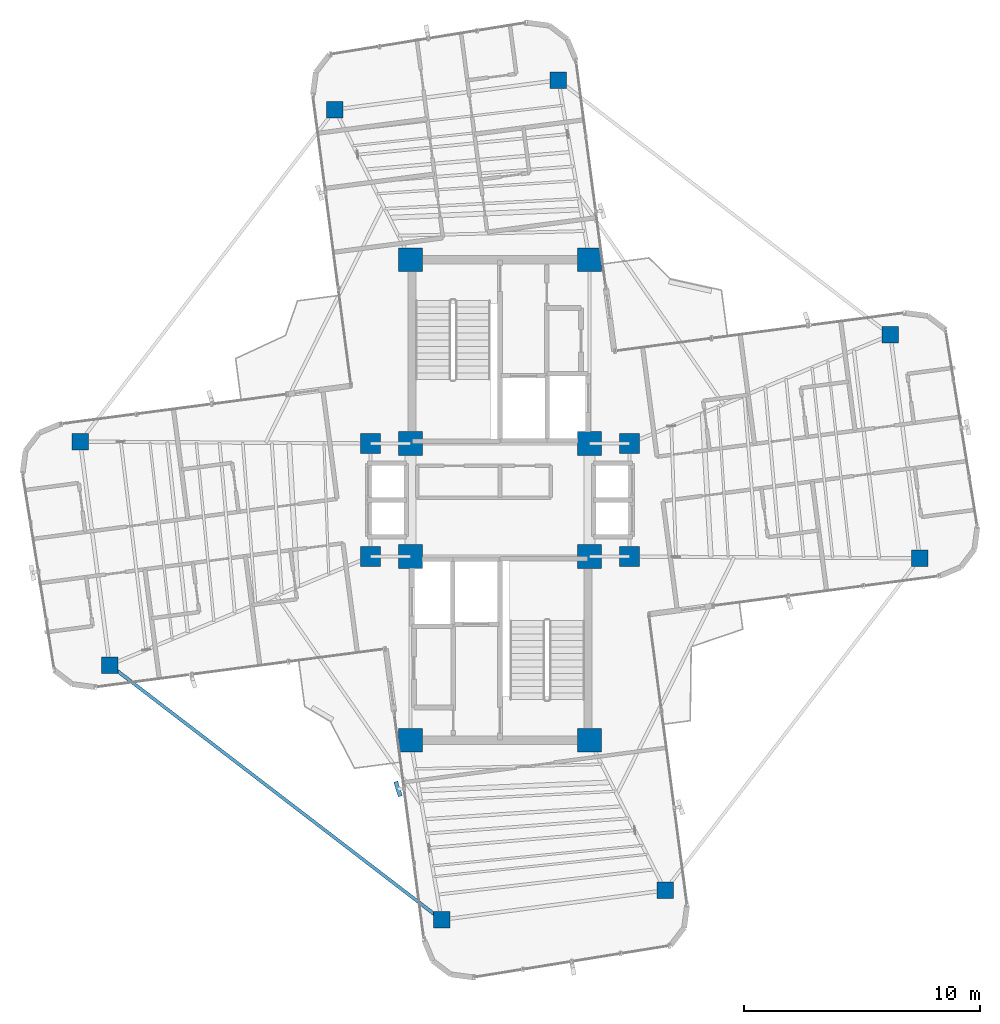
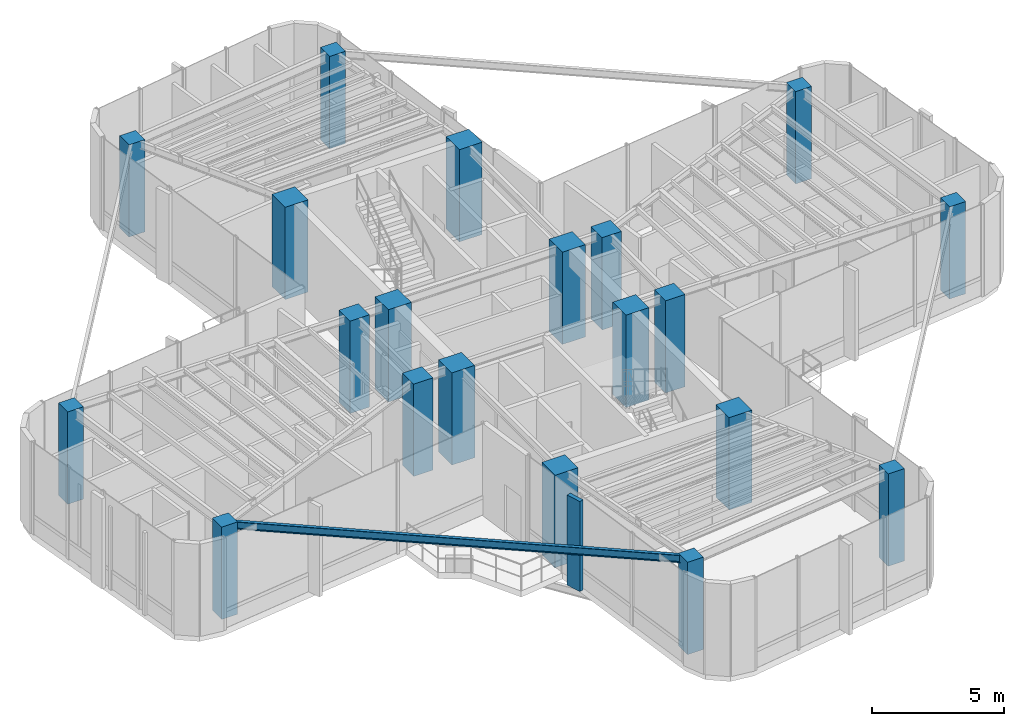
# One storey, part 1 of 20: 20 columns, 1 beam, 1 member, 1 element without a shape of its own.
"""IFC4 building model written with IfcOpenShell, lengths in metres."""

from ifc_helpers import new_model, si_unit, direction, frame, origin, origin_2d, place, context, subcontext, project, spatial, rectangle, i_section, extrude, source, transform, mapped, material, material_profile, profile_set, type_object, element, aggregate, save


model = new_model("IFC4")

# Units and contexts
model_context = context("Model", 3, precision=1e-05, world=origin(), true_north=direction((0.0, 1.0)))
body_context = subcontext(model_context, "Body", "Model", "MODEL_VIEW")
ifc_project = project(units=[si_unit("LENGTHUNIT", "METRE"), si_unit("AREAUNIT", "SQUARE_METRE"), si_unit("VOLUMEUNIT", "CUBIC_METRE"), si_unit("PLANEANGLEUNIT", "RADIAN"), si_unit("MASSUNIT", "GRAM", prefix="KILO")], contexts=[model_context])

# Site, building, storey
site_placement = place(None, origin())
site = spatial("IfcSite", under=ifc_project, at=site_placement, CompositionType="ELEMENT")
building_placement = place(site_placement, origin())
building = spatial("IfcBuilding", under=site, at=building_placement, Name="Sahyath Konkavel Grand Hotel", CompositionType="ELEMENT")
storey_placement = place(building_placement, frame((0.0, 0.0, 229.949951171875)))
storey = spatial("IfcBuildingStorey", under=building, at=storey_placement, Name="L64", CompositionType="ELEMENT", Elevation=229.949951171875)

# Columns
ifc_material_1 = material(Name="Concrete C50/60", Category="concrete")
ifc_material_profile_1 = material_profile(ifc_material_1, rectangle(XDim=1.0, YDim=1.0, at=origin_2d()), Name="RC 1000x1000")
ifc_profile_set_1 = profile_set([ifc_material_profile_1], Name="Concrete C50/60")
column_type_1 = type_object("IfcColumnType", Name="COL-RC1000", PredefinedType="COLUMN", material=ifc_profile_set_1)
shared_shape_1 = source(origin(), body_context, "Body", "SweptSolid", [
    extrude(rectangle(XDim=1.0, YDim=1.0, at=origin_2d()), origin(), (0.0, 0.0, 1.0), 4.260009765625),
])
for number, where, z_axis, x_axis, name in (
    (1, (-3.800048828125, 2.39990234375, 0.0), (0.0, 0.0, 1.0), (1.0, 0.0, 0.0), "L64 Core Boundary Column NC-SW"),
    (2, (3.800048828125, 2.39990234375, 0.0), (0.0, 0.0, 1.0), (1.0, 0.0, 0.0), "L64 Core Boundary Column NC-SE"),
    (3, (-3.800048828125, 10.199951171875, 0.0), (0.0, 0.0, 1.0), (1.0, 0.0, 0.0), "L64 Core Boundary Column NC-NW"),
    (4, (3.800048828125, 10.199951171875, 0.0), (0.0, 0.0, 1.0), (1.0, 0.0, 0.0), "L64 Core Boundary Column NC-NE"),
    (5, (-3.800048828125, -2.39990234375, 0.0), (0.0, 0.0, 1.0), (1.0, 0.0, 0.0), "L64 Core Boundary Column SC-NW"),
    (6, (3.800048828125, -2.39990234375, 0.0), (0.0, 0.0, 1.0), (1.0, 0.0, 0.0), "L64 Core Boundary Column SC-NE"),
    (7, (-3.800048828125, -10.199951171875, 0.0), (0.0, 0.0, 1.0), (1.0, 0.0, 0.0), "L64 Core Boundary Column SC-SW"),
    (8, (3.800048828125, -10.199951171875, 0.0), (0.0, 0.0, 1.0), (1.0, 0.0, 0.0), "L64 Core Boundary Column SC-SE"),
):
    element("IfcColumn", number, at=place(storey_placement, frame(where, z_axis=z_axis, x_axis=x_axis)), inside=storey, type_object=column_type_1, Name=name, PredefinedType="COLUMN", context=body_context, shape_type="MappedRepresentation", body=[
        mapped(shared_shape_1, transform((0.0, 0.0, 0.0), scale=1.0)),
    ])
ifc_material_2 = material(Name="Concrete C40/50", Category="concrete")
ifc_material_profile_2 = material_profile(ifc_material_2, rectangle(XDim=0.85009765625, YDim=0.85009765625, at=origin_2d()), Name="RC 850x850")
ifc_profile_set_2 = profile_set([ifc_material_profile_2], Name="Concrete C40/50")
column_type_2 = type_object("IfcColumnType", Name="COL-RC850", PredefinedType="COLUMN", material=ifc_profile_set_2)
shared_shape_2 = source(origin(), body_context, "Body", "SweptSolid", [
    extrude(rectangle(XDim=0.85009765625, YDim=0.85009765625, at=origin_2d()), origin(), (0.0, 0.0, 1.0), 4.260009765625),
])
for number, where, z_axis, x_axis, name in (
    (9, (5.5, 2.39990234375, 0.0), (0.0, 0.0, 1.0), (1.0, 0.0, 0.0), "L64 Central Spine Column HB-NE"),
    (10, (-5.5, 2.39990234375, 0.0), (0.0, 0.0, 1.0), (1.0, 0.0, 0.0), "L64 Central Spine Column HB-NW"),
    (11, (5.5, -2.39990234375, 0.0), (0.0, 0.0, 1.0), (1.0, 0.0, 0.0), "L64 Central Spine Column HB-SE"),
    (12, (-5.5, -2.39990234375, 0.0), (0.0, 0.0, 1.0), (1.0, 0.0, 0.0), "L64 Central Spine Column HB-SW"),
):
    element("IfcColumn", number, at=place(storey_placement, frame(where, z_axis=z_axis, x_axis=x_axis)), inside=storey, type_object=column_type_2, Name=name, PredefinedType="COLUMN", context=body_context, shape_type="MappedRepresentation", body=[
        mapped(shared_shape_2, transform((0.0, 0.0, 0.0), scale=1.0)),
    ])
ifc_material_profile_3 = material_profile(ifc_material_2, rectangle(XDim=0.699951171875, YDim=0.699951171875, at=origin_2d()), Name="RC 700x700")
ifc_profile_set_3 = profile_set([ifc_material_profile_3], Name="Concrete C40/50")
column_type_3 = type_object("IfcColumnType", Name="COL-RC700", PredefinedType="COLUMN", material=ifc_profile_set_3)
shared_shape_3 = source(origin(), body_context, "Body", "SweptSolid", [
    extrude(rectangle(XDim=0.699951171875, YDim=0.699951171875, at=origin_2d()), origin(), (0.0, 0.0, 1.0), 4.260009765625),
])
for number, where, z_axis, x_axis, name in (
    (13, (17.822998046875, -2.477783203125, 0.0), (0.0, 0.0, 1.0), (1.0, 0.0, 0.0), "L64 Cruciform Wing Column WC-EA"),
    (14, (16.57421875, 7.00634765625, 0.0), (0.0, 0.0, 1.0), (1.0, 0.0, 0.0), "L64 Cruciform Wing Column WC-EB"),
    (15, (2.477783203125, 17.822998046875, 0.0), (0.0, 0.0, 1.0), (1.0, 0.0, 0.0), "L64 Cruciform Wing Column WC-NA"),
    (16, (-7.00634765625, 16.57421875, 0.0), (0.0, 0.0, 1.0), (1.0, 0.0, 0.0), "L64 Cruciform Wing Column WC-NB"),
    (17, (-17.822998046875, 2.477783203125, 0.0), (0.0, 0.0, 1.0), (1.0, 0.0, 0.0), "L64 Cruciform Wing Column WC-WA"),
    (18, (-16.57421875, -7.00634765625, 0.0), (0.0, 0.0, 1.0), (1.0, 0.0, 0.0), "L64 Cruciform Wing Column WC-WB"),
    (19, (-2.477783203125, -17.822998046875, 0.0), (0.0, 0.0, 1.0), (1.0, 0.0, 0.0), "L64 Cruciform Wing Column WC-SA"),
    (20, (7.00634765625, -16.57421875, 0.0), (0.0, 0.0, 1.0), (1.0, 0.0, 0.0), "L64 Cruciform Wing Column WC-SB"),
):
    element("IfcColumn", number, at=place(storey_placement, frame(where, z_axis=z_axis, x_axis=x_axis)), inside=storey, type_object=column_type_3, Name=name, PredefinedType="COLUMN", context=body_context, shape_type="MappedRepresentation", body=[
        mapped(shared_shape_3, transform((0.0, 0.0, 0.0), scale=1.0)),
    ])

# Beam
ifc_material_3 = material(Name="Steel E350", Category="steel")
ifc_material_profile_4 = material_profile(ifc_material_3, i_section(OverallWidth=0.139892578125, OverallDepth=0.35009765625, WebThickness=0.008056640625, FlangeThickness=0.01416015625, FilletRadius=0.013916015625, at=origin_2d()), Name="ISMB 350")
ifc_profile_set_4 = profile_set([ifc_material_profile_4], Name="Steel E350")
beam_type = type_object("IfcBeamType", Name="BM-ISMB350", PredefinedType="BEAM", material=ifc_profile_set_4)
shared_shape_4 = source(origin(), body_context, "Body", "SweptSolid", [
    extrude(i_section(OverallWidth=0.139892578125, OverallDepth=0.35009765625, WebThickness=0.008056640625, FlangeThickness=0.01416015625, FilletRadius=0.013916015625, at=origin_2d()), origin(), (0.0, 0.0, 1.0), 17.768310546875),
])
beam_placement = place(storey_placement, frame((-16.57421875, -7.00634765625, 4.0849609375), z_axis=(0.793351302745, -0.608764084382, 0.0), x_axis=(0.608764084382, 0.793351302745, 0.0)))
element("IfcBeam", 21, at=beam_placement, inside=storey, type_object=beam_type, Name="L64 Re-Entrant Tie Beam SW", PredefinedType="BEAM", context=body_context, shape_type="MappedRepresentation", body=[
    mapped(shared_shape_4, transform((0.0, 0.0, 0.0), scale=1.0)),
])

# Curtain wall, member
ifc_material_4 = material(Name="Anodised Bronze Aluminium & Low-E Glazing", Category="aluminium")
curtain_wall_type = type_object("IfcCurtainWallType", Name="CW-SKYLOBBY", PredefinedType="NOTDEFINED", material=ifc_material_4)
curtain_wall_placement = place(storey_placement, origin())
curtain_wall = element("IfcCurtainWall", 22, at=curtain_wall_placement, inside=storey, type_object=curtain_wall_type, Name="L64 Unitised Curtain Wall F24", PredefinedType="NOTDEFINED")
ifc_material_5 = material(Name="Warm Buff Sandstone Cladding on Concrete C50/60", Category="masonry")
ifc_material_profile_5 = material_profile(ifc_material_5, rectangle(XDim=0.179931640625, YDim=0.64990234375, at=origin_2d()), Name="FIN 180x650")
ifc_profile_set_5 = profile_set([ifc_material_profile_5], Name="Warm Buff Sandstone Cladding on Concrete C50/60")
member_type = type_object("IfcMemberType", Name="FIN-SANDSTONE-650", PredefinedType="MULLION", material=ifc_profile_set_5)
shared_shape_5 = source(origin(), body_context, "Body", "SweptSolid", [
    extrude(rectangle(XDim=0.179931640625, YDim=0.64990234375, at=origin_2d()), origin(), (0.0, 0.0, 1.0), 4.159912109375),
])
member_placement = place(storey_placement, frame((-4.328369140625, -12.27099609375, 0.050048828125), z_axis=(0.0, 0.0, 1.0), x_axis=(0.952022626946, 0.306027642189, 0.0)))
member = element("IfcMember", 23, at=member_placement, type_object=member_type, Name="L64 Sandstone Vertical Solar Fin FIN F24-1", PredefinedType="MULLION", context=body_context, shape_type="MappedRepresentation", body=[
    mapped(shared_shape_5, transform((0.0, 0.0, 0.0), scale=1.0)),
])
aggregate(curtain_wall, [member])

save(model, "model.ifc")
